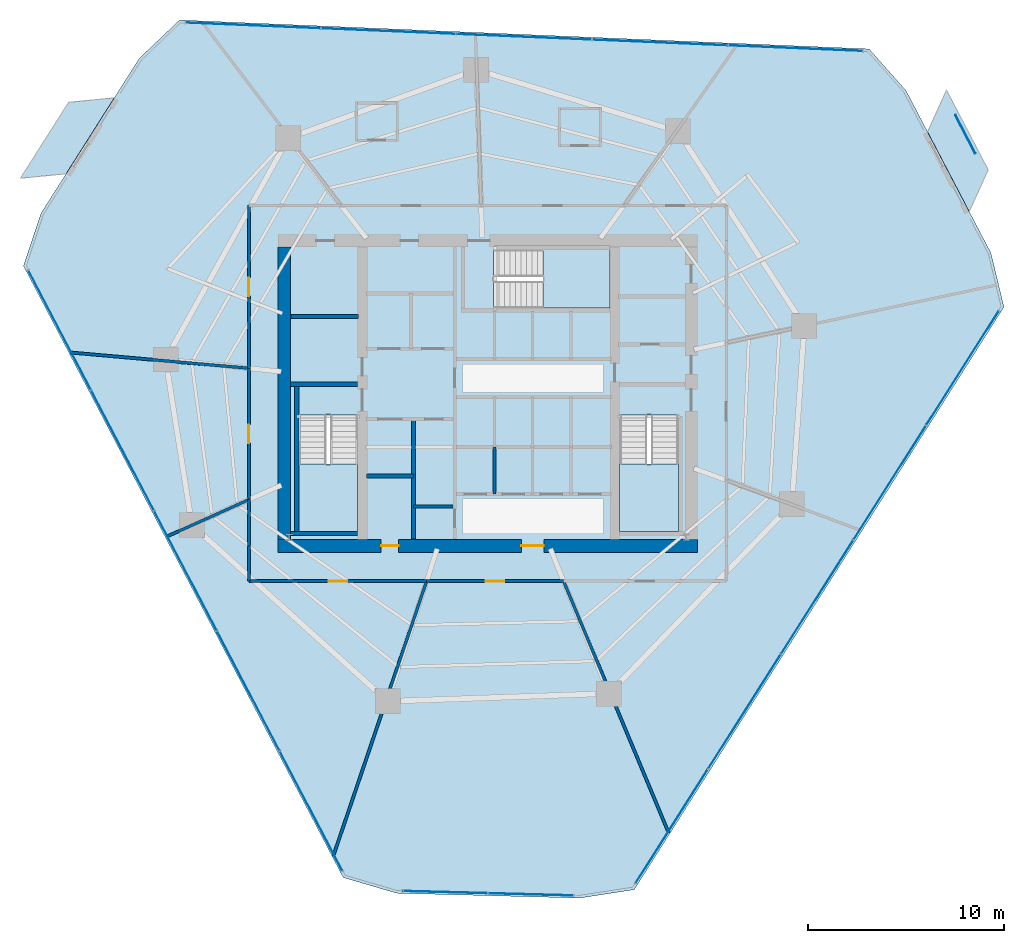
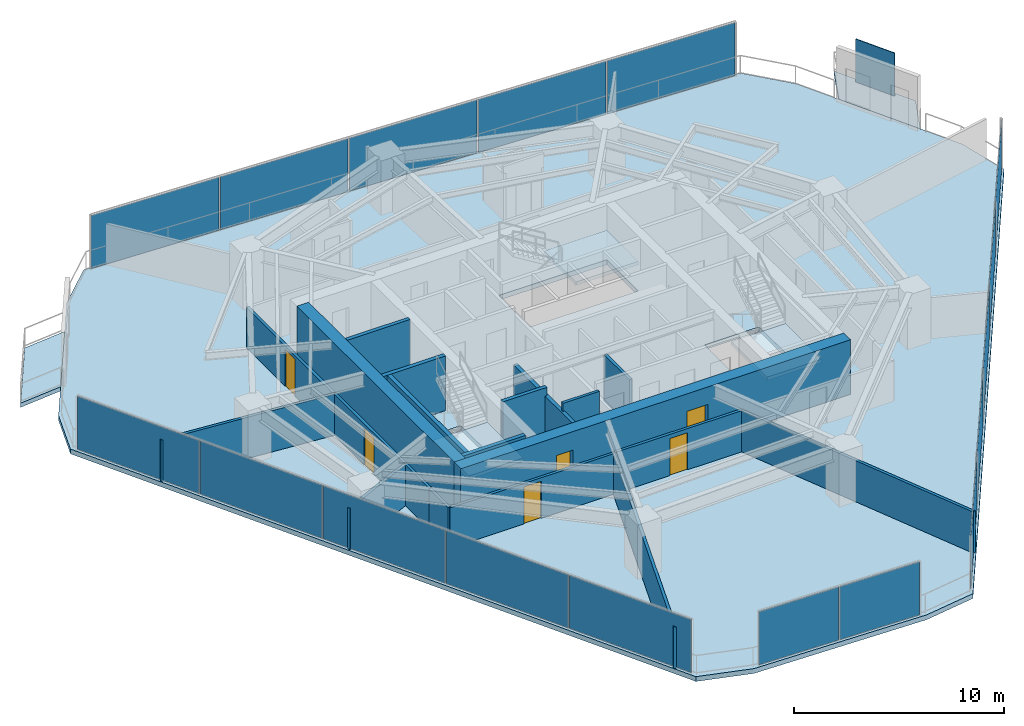
# One storey, part 23 of 30: 20 walls, 18 plates, 6 doors, 6 slabs, 6 openings, 7 elements without a shape of their own.
"""IFC4 building model written with IfcOpenShell, lengths in metres."""

from ifc_helpers import new_model, si_unit, direction, frame, frame_2d, origin, origin_2d, place, context, subcontext, project, spatial, polyline, rectangle, outline, extrude, material, layer, layer_set, type_object, element, fill, aggregate, save


model = new_model("IFC4")

# Units and contexts
model_context = context("Model", 3, precision=1e-05, world=origin(), true_north=direction((0.0, 1.0)))
body_context = subcontext(model_context, "Body", "Model", "MODEL_VIEW")
ifc_project = project(units=[si_unit("LENGTHUNIT", "METRE"), si_unit("AREAUNIT", "SQUARE_METRE"), si_unit("VOLUMEUNIT", "CUBIC_METRE"), si_unit("PLANEANGLEUNIT", "RADIAN"), si_unit("MASSUNIT", "GRAM", prefix="KILO")], contexts=[model_context])

# Site, building, storey
site_placement = place(None, origin())
site = spatial("IfcSite", under=ifc_project, at=site_placement, CompositionType="ELEMENT")
building_placement = place(site_placement, origin())
building = spatial("IfcBuilding", under=site, at=building_placement, Name="Qarnah Convention Tower", CompositionType="ELEMENT")
storey_placement = place(building_placement, frame((0.0, 0.0, 58.050048828125)))
storey = spatial("IfcBuildingStorey", under=building, at=storey_placement, Name="L14", CompositionType="ELEMENT", Elevation=58.050048828125)

# Curtain wall, plates
ifc_material_1 = material(Name="Tempered Low-E dark glass", Category="glass")
ifc_layer_1 = layer(ifc_material_1, 0.16796875)
ifc_layer_set_1 = layer_set([ifc_layer_1], Name="Tempered Low-E dark glass")
curtain_wall_type = type_object("IfcCurtainWallType", Name="CWS-01", PredefinedType="NOTDEFINED", material=ifc_layer_set_1)
curtain_wall_1_placement = place(storey_placement, origin())
curtain_wall_1 = element("IfcCurtainWall", 1, at=curtain_wall_1_placement, inside=storey, type_object=curtain_wall_type, Name="L14 unitised curtain wall CW-L14-F1", PredefinedType="NOTDEFINED")
ifc_layer_2 = layer(ifc_material_1, 0.028076171875)
ifc_layer_set_2 = layer_set([ifc_layer_2], Name="Tempered Low-E dark glass")
plate_type_1 = type_object("IfcPlateType", Name="PNL-T1", PredefinedType="CURTAIN_PANEL", material=ifc_layer_set_2)
plate_1_placement = place(storey_placement, frame((28.176513671875, 5.044921875, 0.0400390625), z_axis=(0.0, 0.0, 1.0), x_axis=(-0.463290234921, 0.886206611478, 0.0)))
plate_1 = element("IfcPlate", 2, at=plate_1_placement, type_object=plate_type_1, Name="CW-L14-F1 curtain panel 1.1", PredefinedType="CURTAIN_PANEL", context=body_context, shape_type="SweptSolid", body=[
    extrude(rectangle(XDim=6.855224609375, YDim=0.028076171875, at=origin_2d()), origin(), (0.0, 0.0, 1.0), 3.090087890625),
])
plate_2_placement = place(storey_placement, frame((24.96337890625, 11.19091796875, 0.0400390625), z_axis=(0.0, 0.0, 1.0), x_axis=(-0.463290234921, 0.886206611478, 0.0)))
plate_2 = element("IfcPlate", 3, at=plate_2_placement, type_object=plate_type_1, Name="CW-L14-F1 curtain panel 2.1", PredefinedType="CURTAIN_PANEL", context=body_context, shape_type="SweptSolid", body=[
    extrude(rectangle(XDim=6.855224609375, YDim=0.028076171875, at=origin_2d()), origin(), (0.0, 0.0, 1.0), 3.090087890625),
])
plate_3_placement = place(storey_placement, frame((21.75048828125, 17.3369140625, 0.0400390625), z_axis=(0.0, 0.0, 1.0), x_axis=(-0.463290234921, 0.886206611478, 0.0)))
plate_3 = element("IfcPlate", 4, at=plate_3_placement, type_object=plate_type_1, Name="CW-L14-F1 curtain panel 3.1", PredefinedType="CURTAIN_PANEL", context=body_context, shape_type="SweptSolid", body=[
    extrude(rectangle(XDim=6.855224609375, YDim=0.028076171875, at=origin_2d()), origin(), (0.0, 0.0, 1.0), 3.090087890625),
])
plate_4_placement = place(storey_placement, frame((18.53759765625, 23.48291015625, 0.0400390625), z_axis=(0.0, 0.0, 1.0), x_axis=(-0.463290234921, 0.886206611478, 0.0)))
plate_4 = element("IfcPlate", 5, at=plate_4_placement, type_object=plate_type_1, Name="CW-L14-F1 curtain panel 4.1", PredefinedType="CURTAIN_PANEL", context=body_context, shape_type="SweptSolid", body=[
    extrude(rectangle(XDim=6.855224609375, YDim=0.028076171875, at=origin_2d()), origin(), (0.0, 0.0, 1.0), 3.090087890625),
])
plate_5_placement = place(storey_placement, frame((15.324462890625, 29.62890625, 0.0400390625), z_axis=(0.0, 0.0, 1.0), x_axis=(-0.463290234921, 0.886206611478, 0.0)))
plate_5 = element("IfcPlate", 6, at=plate_5_placement, type_object=plate_type_1, Name="CW-L14-F1 curtain panel 5.1", PredefinedType="CURTAIN_PANEL", context=body_context, shape_type="SweptSolid", body=[
    extrude(rectangle(XDim=6.855224609375, YDim=0.028076171875, at=origin_2d()), origin(), (0.0, 0.0, 1.0), 3.090087890625),
])
aggregate(curtain_wall_1, [plate_1, plate_2, plate_3, plate_4, plate_5])

curtain_wall_2_placement = place(storey_placement, origin())
curtain_wall_2 = element("IfcCurtainWall", 7, at=curtain_wall_2_placement, inside=storey, type_object=curtain_wall_type, Name="L14 unitised curtain wall CW-L14-F2", PredefinedType="NOTDEFINED")
plate_6_placement = place(storey_placement, frame((61.472900390625, 27.6943359375, 0.0400390625), z_axis=(0.0, 0.0, 1.0), x_axis=(-0.535844994188, -0.844316375658, 0.0)))
plate_6 = element("IfcPlate", 8, at=plate_6_placement, type_object=plate_type_1, Name="CW-L14-F2 curtain panel 1.1", PredefinedType="CURTAIN_PANEL", context=body_context, shape_type="SweptSolid", body=[
    extrude(rectangle(XDim=6.854736328125, YDim=0.028076171875, at=origin_2d()), origin(), (0.0, 0.0, 1.0), 3.090087890625),
])
plate_7_placement = place(storey_placement, frame((57.757080078125, 21.839111328125, 0.0400390625), z_axis=(0.0, 0.0, 1.0), x_axis=(-0.535844994188, -0.844316375658, 0.0)))
plate_7 = element("IfcPlate", 9, at=plate_7_placement, type_object=plate_type_1, Name="CW-L14-F2 curtain panel 2.1", PredefinedType="CURTAIN_PANEL", context=body_context, shape_type="SweptSolid", body=[
    extrude(rectangle(XDim=6.854736328125, YDim=0.028076171875, at=origin_2d()), origin(), (0.0, 0.0, 1.0), 3.090087890625),
])
plate_8_placement = place(storey_placement, frame((54.041015625, 15.98388671875, 0.0400390625), z_axis=(0.0, 0.0, 1.0), x_axis=(-0.535844994188, -0.844316375658, 0.0)))
plate_8 = element("IfcPlate", 10, at=plate_8_placement, type_object=plate_type_1, Name="CW-L14-F2 curtain panel 3.1", PredefinedType="CURTAIN_PANEL", context=body_context, shape_type="SweptSolid", body=[
    extrude(rectangle(XDim=6.854736328125, YDim=0.028076171875, at=origin_2d()), origin(), (0.0, 0.0, 1.0), 3.090087890625),
])
plate_9_placement = place(storey_placement, frame((50.324951171875, 10.12890625, 0.0400390625), z_axis=(0.0, 0.0, 1.0), x_axis=(-0.535844994188, -0.844316375658, 0.0)))
plate_9 = element("IfcPlate", 11, at=plate_9_placement, type_object=plate_type_1, Name="CW-L14-F2 curtain panel 4.1", PredefinedType="CURTAIN_PANEL", context=body_context, shape_type="SweptSolid", body=[
    extrude(rectangle(XDim=6.854736328125, YDim=0.028076171875, at=origin_2d()), origin(), (0.0, 0.0, 1.0), 3.090087890625),
])
plate_10_placement = place(storey_placement, frame((46.60888671875, 4.273681640625, 0.0400390625), z_axis=(0.0, 0.0, 1.0), x_axis=(-0.535844994188, -0.844316375658, 0.0)))
plate_10 = element("IfcPlate", 12, at=plate_10_placement, type_object=plate_type_1, Name="CW-L14-F2 curtain panel 5.1", PredefinedType="CURTAIN_PANEL", context=body_context, shape_type="SweptSolid", body=[
    extrude(rectangle(XDim=6.854736328125, YDim=0.028076171875, at=origin_2d()), origin(), (0.0, 0.0, 1.0), 3.090087890625),
])
aggregate(curtain_wall_2, [plate_6, plate_7, plate_8, plate_9, plate_10])

curtain_wall_3_placement = place(storey_placement, origin())
curtain_wall_3 = element("IfcCurtainWall", 13, at=curtain_wall_3_placement, inside=storey, type_object=curtain_wall_type, Name="L14 unitised curtain wall CW-L14-F3", PredefinedType="NOTDEFINED")
plate_11_placement = place(storey_placement, frame((25.211181640625, 45.205810546875, 0.0400390625), z_axis=(0.0, 0.0, 1.0), x_axis=(0.999122796479, -0.041876455876, 0.0)))
plate_11 = element("IfcPlate", 14, at=plate_11_placement, type_object=plate_type_1, Name="CW-L14-F3 curtain panel 1.1", PredefinedType="CURTAIN_PANEL", context=body_context, shape_type="SweptSolid", body=[
    extrude(rectangle(XDim=6.854736328125, YDim=0.028076171875, at=origin_2d()), origin(), (0.0, 0.0, 1.0), 3.090087890625),
])
plate_12_placement = place(storey_placement, frame((32.139892578125, 44.915283203125, 0.0400390625), z_axis=(0.0, 0.0, 1.0), x_axis=(0.999122796479, -0.041876455876, 0.0)))
plate_12 = element("IfcPlate", 15, at=plate_12_placement, type_object=plate_type_1, Name="CW-L14-F3 curtain panel 2.1", PredefinedType="CURTAIN_PANEL", context=body_context, shape_type="SweptSolid", body=[
    extrude(rectangle(XDim=6.854736328125, YDim=0.028076171875, at=origin_2d()), origin(), (0.0, 0.0, 1.0), 3.090087890625),
])
plate_13_placement = place(storey_placement, frame((39.068603515625, 44.625, 0.0400390625), z_axis=(0.0, 0.0, 1.0), x_axis=(0.999122796479, -0.041876455876, 0.0)))
plate_13 = element("IfcPlate", 16, at=plate_13_placement, type_object=plate_type_1, Name="CW-L14-F3 curtain panel 3.1", PredefinedType="CURTAIN_PANEL", context=body_context, shape_type="SweptSolid", body=[
    extrude(rectangle(XDim=6.854736328125, YDim=0.028076171875, at=origin_2d()), origin(), (0.0, 0.0, 1.0), 3.090087890625),
])
plate_14_placement = place(storey_placement, frame((45.9970703125, 44.334716796875, 0.0400390625), z_axis=(0.0, 0.0, 1.0), x_axis=(0.999122796479, -0.041876455876, 0.0)))
plate_14 = element("IfcPlate", 17, at=plate_14_placement, type_object=plate_type_1, Name="CW-L14-F3 curtain panel 4.1", PredefinedType="CURTAIN_PANEL", context=body_context, shape_type="SweptSolid", body=[
    extrude(rectangle(XDim=6.854736328125, YDim=0.028076171875, at=origin_2d()), origin(), (0.0, 0.0, 1.0), 3.090087890625),
])
plate_15_placement = place(storey_placement, frame((52.92578125, 44.044189453125, 0.0400390625), z_axis=(0.0, 0.0, 1.0), x_axis=(0.999122796479, -0.041876455876, 0.0)))
plate_15 = element("IfcPlate", 18, at=plate_15_placement, type_object=plate_type_1, Name="CW-L14-F3 curtain panel 5.1", PredefinedType="CURTAIN_PANEL", context=body_context, shape_type="SweptSolid", body=[
    extrude(rectangle(XDim=6.854736328125, YDim=0.028076171875, at=origin_2d()), origin(), (0.0, 0.0, 1.0), 3.090087890625),
])
aggregate(curtain_wall_3, [plate_11, plate_12, plate_13, plate_14, plate_15])

curtain_wall_4_placement = place(storey_placement, origin())
curtain_wall_4 = element("IfcCurtainWall", 19, at=curtain_wall_4_placement, inside=storey, type_object=curtain_wall_type, Name="L14 unitised curtain wall CW-L14-F4", PredefinedType="NOTDEFINED")
plate_16_placement = place(storey_placement, frame((39.418701171875, 0.785888671875, 0.0400390625), z_axis=(0.0, 0.0, 1.0), x_axis=(-0.99964956263, 0.026471719497, 0.0)))
plate_16 = element("IfcPlate", 20, at=plate_16_placement, type_object=plate_type_1, Name="CW-L14-F4 curtain panel 1.1", PredefinedType="CURTAIN_PANEL", context=body_context, shape_type="SweptSolid", body=[
    extrude(rectangle(XDim=4.302001953125, YDim=0.028076171875, at=origin_2d()), origin(), (0.0, 0.0, 1.0), 3.090087890625),
])
plate_17_placement = place(storey_placement, frame((35.038330078125, 0.902099609375, 0.0400390625), z_axis=(0.0, 0.0, 1.0), x_axis=(-0.99964956263, 0.026471719497, 0.0)))
plate_17 = element("IfcPlate", 21, at=plate_17_placement, type_object=plate_type_1, Name="CW-L14-F4 curtain panel 2.1", PredefinedType="CURTAIN_PANEL", context=body_context, shape_type="SweptSolid", body=[
    extrude(rectangle(XDim=4.302001953125, YDim=0.028076171875, at=origin_2d()), origin(), (0.0, 0.0, 1.0), 3.090087890625),
])
aggregate(curtain_wall_4, [plate_16, plate_17])

# Plate
ifc_material_2 = material(Name="Black anodised aluminium", Category="aluminium")
ifc_layer_3 = layer(ifc_material_2, 0.044921875)
ifc_layer_set_3 = layer_set([ifc_layer_3], Name="Black anodised aluminium")
plate_type_2 = type_object("IfcPlateType", Name="SCR-BAL-18", PredefinedType="USERDEFINED", material=ifc_layer_set_3)
plate_18_placement = place(storey_placement, frame((61.6201171875, 39.64404296875, 0.0), z_axis=(0.0, 0.0, 1.0), x_axis=(0.463316142322, -0.88619306715, 0.0)))
element("IfcPlate", 22, at=plate_18_placement, inside=storey, type_object=plate_type_2, Name="L14 perforated desert solar screen BAL-L14-C1", ObjectType="SCREEN", PredefinedType="USERDEFINED", context=body_context, shape_type="SweptSolid", body=[
    extrude(rectangle(XDim=2.199951171875, YDim=0.044921875, at=origin_2d()), origin(), (0.0, 0.0, 1.0), 2.5),
])

# Slabs
ifc_material_3 = material(Name="Concrete C45/55", Category="concrete")
ifc_layer_4 = layer(ifc_material_3, 0.239990234375)
ifc_layer_set_4 = layer_set([ifc_layer_4], Name="Concrete C45/55")
slab_type_1 = type_object("IfcSlabType", Name="SLB-BAL-240", PredefinedType="USERDEFINED", material=ifc_layer_set_4)
slab_1_placement = place(storey_placement, frame((0.0, 0.0, -0.239990234375)))
element("IfcSlab", 23, at=slab_1_placement, inside=storey, type_object=slab_type_1, Name="L14 cantilevered balcony slab BAL-L14-C1", ObjectType="BALCONY", PredefinedType="USERDEFINED", context=body_context, shape_type="SweptSolid", body=[
    extrude(outline(polyline([(60.654052734375, 41.90087890625), (62.784912109375, 37.824951171875), (61.81591796875, 35.68896484375), (59.68505859375, 39.764892578125), (60.654052734375, 41.90087890625)])), origin(), (0.0, 0.0, 1.0), 0.239990234375),
])
slab_2_placement = place(storey_placement, frame((0.0, 0.0, -0.239990234375)))
element("IfcSlab", 24, at=slab_2_placement, inside=storey, type_object=slab_type_1, Name="L14 cantilevered balcony slab BAL-L14-C2", ObjectType="BALCONY", PredefinedType="USERDEFINED", context=body_context, shape_type="SweptSolid", body=[
    extrude(outline(polyline([(13.31689453125, 37.39306640625), (15.781982421875, 41.27587890625), (18.116943359375, 41.506103515625), (15.652099609375, 37.6220703125), (13.31689453125, 37.39306640625)])), origin(), (0.0, 0.0, 1.0), 0.239990234375),
])

# Stair, slab
ifc_material_4 = material(Name="Concrete C50/60", Category="concrete")
stair_type = type_object("IfcStairType", Name="STR-HTL", PredefinedType="HALF_TURN_STAIR", material=ifc_material_4)
stair_1_placement = place(storey_placement, origin())
stair_1 = element("IfcStair", 25, at=stair_1_placement, inside=storey, type_object=stair_type, Name="L14 Core exit stair ST-1", PredefinedType="HALF_TURN_STAIR")
ifc_layer_5 = layer(ifc_material_4, 0.199951171875)
ifc_layer_set_5 = layer_set([ifc_layer_5], Name="Concrete C50/60")
slab_type_2 = type_object("IfcSlabType", Name="SLB-LANDING-200", PredefinedType="LANDING", material=ifc_layer_set_5)
slab_3_placement = place(storey_placement, frame((0.0, 0.0, 1.52490234375)))
slab_3 = element("IfcSlab", 26, at=slab_3_placement, type_object=slab_type_2, Name="ST-1 landing 1", PredefinedType="LANDING", context=body_context, shape_type="SweptSolid", body=[
    extrude(outline(polyline([(27.550048828125, 22.780029296875), (27.550048828125, 19.35009765625), (30.550048828125, 19.35009765625), (30.550048828125, 22.780029296875), (27.550048828125, 22.780029296875)])), origin(), (0.0, 0.0, 1.0), 0.199951171875),
])
aggregate(stair_1, [slab_3])

stair_2_placement = place(storey_placement, origin())
stair_2 = element("IfcStair", 27, at=stair_2_placement, inside=storey, type_object=stair_type, Name="L14 Core exit stair ST-2", PredefinedType="HALF_TURN_STAIR")
slab_4_placement = place(storey_placement, frame((0.0, 0.0, 1.52490234375)))
slab_4 = element("IfcSlab", 28, at=slab_4_placement, type_object=slab_type_2, Name="ST-2 landing 1", PredefinedType="LANDING", context=body_context, shape_type="SweptSolid", body=[
    extrude(outline(polyline([(43.949951171875, 22.780029296875), (43.949951171875, 19.35009765625), (46.949951171875, 19.35009765625), (46.949951171875, 22.780029296875), (43.949951171875, 22.780029296875)])), origin(), (0.0, 0.0, 1.0), 0.199951171875),
])
aggregate(stair_2, [slab_4])

stair_3_placement = place(storey_placement, origin())
stair_3 = element("IfcStair", 29, at=stair_3_placement, inside=storey, type_object=stair_type, Name="L14 Core exit stair ST-3", PredefinedType="HALF_TURN_STAIR")
slab_5_placement = place(storey_placement, frame((0.0, 0.0, 1.52490234375)))
slab_5 = element("IfcSlab", 30, at=slab_5_placement, type_object=slab_type_2, Name="ST-3 landing 1", PredefinedType="LANDING", context=body_context, shape_type="SweptSolid", body=[
    extrude(outline(polyline([(40.02001953125, 30.75), (43.449951171875, 30.75), (43.449951171875, 33.75), (40.02001953125, 33.75), (40.02001953125, 30.75)])), origin(), (0.0, 0.0, 1.0), 0.199951171875),
])
aggregate(stair_3, [slab_5])

# Slab
ifc_layer_6 = layer(ifc_material_3, 0.280029296875)
ifc_layer_set_6 = layer_set([ifc_layer_6], Name="Concrete C45/55")
slab_type_3 = type_object("IfcSlabType", Name="SLB-TWR-280", PredefinedType="FLOOR", material=ifc_layer_set_6)
slab_6_placement = place(storey_placement, frame((0.0, 0.0, -0.280029296875)))
element("IfcSlab", 31, at=slab_6_placement, inside=storey, type_object=slab_type_3, Name="L14 structural floor slab", PredefinedType="FLOOR", context=body_context, shape_type="SweptSolid", body=[
    extrude(outline(polyline([(56.695068359375, 44.006103515625), (21.451904296875, 45.48291015625), (19.39208984375, 43.52197265625), (14.37109375, 35.611083984375), (13.472900390625, 32.912109375), (29.81591796875, 1.65087890625), (32.544921875, 0.847900390625), (41.906005859375, 0.60009765625), (44.69189453125, 1.028076171875), (63.593017578125, 30.81103515625), (62.925048828125, 33.575927734375), (58.583984375, 41.87890625), (56.695068359375, 44.006103515625)]), holes=[polyline([(27.550048828125, 25.300048828125), (27.550048828125, 19.35009765625), (30.550048828125, 19.35009765625), (30.550048828125, 25.300048828125), (27.550048828125, 25.300048828125)]), polyline([(43.949951171875, 25.300048828125), (43.949951171875, 19.35009765625), (46.949951171875, 19.35009765625), (46.949951171875, 25.300048828125), (43.949951171875, 25.300048828125)]), polyline([(37.5, 30.75), (43.449951171875, 30.75), (43.449951171875, 33.75), (37.5, 33.75), (37.5, 30.75)])]), origin(), (0.0, 0.0, 1.0), 0.280029296875),
])

# Wall, openings, doors
ifc_material_5 = material(Name="Concrete C60/75", Category="concrete")
ifc_layer_7 = layer(ifc_material_5, 0.64990234375)
ifc_layer_set_7 = layer_set([ifc_layer_7], Name="Concrete C60/75")
wall_type_1 = type_object("IfcWallType", Name="WL-CORE-650", PredefinedType="SHEAR", material=ifc_layer_set_7)
wall_1_placement = place(storey_placement, frame((26.47509765625, 18.60009765625, 0.0), z_axis=(0.0, 0.0, 1.0), x_axis=(1.0, 0.0, 0.0)))
wall_1 = element("IfcWall", 32, at=wall_1_placement, inside=storey, type_object=wall_type_1, Name="L14 core south shear wall", PredefinedType="SHEAR", context=body_context, shape_type="SweptSolid", body=[
    extrude(rectangle(XDim=21.449951171875, YDim=0.64990234375, at=frame_2d((10.72509765625, 0.0))), origin(), (0.0, 0.0, 1.0), 3.169921875),
])
opening_1_placement = place(wall_1_placement, frame((12.449951171875, 0.0, 0.0)))
opening_1 = element("IfcOpeningElement", 33, at=opening_1_placement, cuts=wall_1, Name="Opening D-1407", PredefinedType="OPENING", context=body_context, shape_type="SweptSolid", body=[
    extrude(rectangle(XDim=1.14990234375, YDim=2.14990234375, at=frame_2d((0.574951171875, 1.074951171875))), frame((0.0, 0.3349609375, 0.0), z_axis=(0.0, -1.0, 0.0), x_axis=(1.0, 0.0, 0.0)), (0.0, 0.0, 1.0), 0.669921875),
])
opening_2_placement = place(wall_1_placement, frame((5.27490234375, 0.0, 0.0)))
opening_2 = element("IfcOpeningElement", 34, at=opening_2_placement, cuts=wall_1, Name="Opening D-1413", PredefinedType="OPENING", context=body_context, shape_type="SweptSolid", body=[
    extrude(rectangle(XDim=0.89990234375, YDim=2.10009765625, at=frame_2d((0.449951171875, 1.050048828125))), frame((0.0, 0.3349609375, 0.0), z_axis=(0.0, -1.0, 0.0), x_axis=(1.0, 0.0, 0.0)), (0.0, 0.0, 1.0), 0.669921875),
])
ifc_material_6 = material(Name="Structural steel S355JR", Category="steel")
door_type_1 = type_object("IfcDoorType", Name="DT-LOBBY-1150", OperationType="NOTDEFINED", PredefinedType="DOOR", material=ifc_material_6)
door_1_placement = place(opening_1_placement, origin())
door_1 = element("IfcDoor", 35, at=door_1_placement, inside=storey, type_object=door_type_1, Name="Door D-1407", OperationType="SINGLE_SWING_LEFT", OverallHeight=2.14990234375, OverallWidth=1.14990234375, PredefinedType="DOOR", context=body_context, shape_type="SweptSolid", body=[
    extrude(rectangle(XDim=1.14990234375, YDim=2.14990234375, at=frame_2d((0.574951171875, 1.074951171875))), frame((0.0, 0.02490234375, 0.0), z_axis=(0.0, -1.0, 0.0), x_axis=(1.0, 0.0, 0.0)), (0.0, 0.0, 1.0), 0.050048828125),
])
fill(opening_1, door_1)
door_type_2 = type_object("IfcDoorType", Name="DT-RISER-900", OperationType="NOTDEFINED", PredefinedType="DOOR", material=ifc_material_6)
door_2_placement = place(opening_2_placement, origin())
door_2 = element("IfcDoor", 36, at=door_2_placement, inside=storey, type_object=door_type_2, Name="Door D-1413", OperationType="SINGLE_SWING_LEFT", OverallHeight=2.10009765625, OverallWidth=0.89990234375, PredefinedType="DOOR", context=body_context, shape_type="SweptSolid", body=[
    extrude(rectangle(XDim=0.89990234375, YDim=2.10009765625, at=frame_2d((0.449951171875, 1.050048828125))), frame((0.0, 0.02490234375, 0.0), z_axis=(0.0, -1.0, 0.0), x_axis=(1.0, 0.0, 0.0)), (0.0, 0.0, 1.0), 0.050048828125),
])
fill(opening_2, door_2)

# Walls
wall_2_placement = place(storey_placement, frame((26.800048828125, 18.925048828125, 0.0), z_axis=(0.0, 0.0, 1.0), x_axis=(0.0, 1.0, 0.0)))
element("IfcWall", 37, at=wall_2_placement, inside=storey, type_object=wall_type_1, Name="L14 core west shear wall", PredefinedType="SHEAR", context=body_context, shape_type="SweptSolid", body=[
    extrude(rectangle(XDim=14.949951171875, YDim=0.64990234375, at=frame_2d((7.47509765625, 0.0))), origin(), (0.0, 0.0, 1.0), 3.169921875),
])
ifc_layer_8 = layer(ifc_material_3, 0.199951171875)
ifc_layer_set_8 = layer_set([ifc_layer_8], Name="Concrete C45/55")
wall_type_2 = type_object("IfcWallType", Name="WL-CORE-PART-200", PredefinedType="SOLIDWALL", material=ifc_layer_set_8)
wall_3_placement = place(storey_placement, frame((27.14990234375, 30.320068359375, 0.0), z_axis=(0.0, 0.0, 1.0), x_axis=(1.0, 0.0, 0.0)))
element("IfcWall", 38, at=wall_3_placement, inside=storey, type_object=wall_type_2, Name="L14 interior wall IW-L14-ELRN", PredefinedType="SOLIDWALL", context=body_context, shape_type="SweptSolid", body=[
    extrude(rectangle(XDim=3.4501953125, YDim=0.199951171875, at=frame_2d((1.72509765625, 0.0))), origin(), (0.0, 0.0, 1.0), 3.169921875),
])
wall_4_placement = place(storey_placement, frame((33.419921875, 18.949951171875, 0.0), z_axis=(0.0, 0.0, 1.0), x_axis=(0.0, 1.0, 0.0)))
element("IfcWall", 39, at=wall_4_placement, inside=storey, type_object=wall_type_2, Name="L14 interior wall IW-L14-SVLE", PredefinedType="SOLIDWALL", context=body_context, shape_type="SweptSolid", body=[
    extrude(rectangle(XDim=6.130126953125, YDim=0.199951171875, at=frame_2d((3.06494140625, 0.0))), origin(), (0.0, 0.0, 1.0), 2.69091796875),
])
wall_5_placement = place(storey_placement, frame((31.0, 22.179931640625, 0.0), z_axis=(0.0, 0.0, 1.0), x_axis=(1.0, 0.0, 0.0)))
element("IfcWall", 40, at=wall_5_placement, inside=storey, type_object=wall_type_2, Name="L14 interior wall IW-L14-SVLS", PredefinedType="SOLIDWALL", context=body_context, shape_type="SweptSolid", body=[
    extrude(rectangle(XDim=2.419921875, YDim=0.199951171875, at=frame_2d((1.2099609375, 0.0))), origin(), (0.0, 0.0, 1.0), 3.169921875),
])
ifc_layer_9 = layer(ifc_material_5, 0.219970703125)
ifc_layer_set_9 = layer_set([ifc_layer_9], Name="Concrete C60/75")
wall_type_3 = type_object("IfcWallType", Name="WL-CORE-STAIR-220", PredefinedType="SHEAR", material=ifc_layer_set_9)
wall_6_placement = place(storey_placement, frame((27.125, 26.860107421875, 0.0), z_axis=(0.0, 0.0, 1.0), x_axis=(1.0, 0.0, 0.0)))
element("IfcWall", 41, at=wall_6_placement, inside=storey, type_object=wall_type_3, Name="L14 stair shaft shear wall SW-L14-ST1N", PredefinedType="SHEAR", context=body_context, shape_type="SweptSolid", body=[
    extrude(rectangle(XDim=3.425048828125, YDim=0.219970703125, at=frame_2d((1.71240234375, 0.0))), origin(), (0.0, 0.0, 1.0), 3.169921875),
])
wall_7_placement = place(storey_placement, frame((27.43994140625, 19.35009765625, 0.0), z_axis=(0.0, 0.0, 1.0), x_axis=(0.0, 1.0, 0.0)))
element("IfcWall", 42, at=wall_7_placement, inside=storey, type_object=wall_type_3, Name="L14 stair shaft shear wall SW-L14-ST1W", PredefinedType="SHEAR", context=body_context, shape_type="SweptSolid", body=[
    extrude(rectangle(XDim=7.39990234375, YDim=0.219970703125, at=frame_2d((3.699951171875, 0.0))), origin(), (0.0, 0.0, 1.0), 3.169921875),
])
wall_8_placement = place(storey_placement, frame((27.125, 19.239990234375, 0.0), z_axis=(0.0, 0.0, 1.0), x_axis=(1.0, 0.0, 0.0)))
element("IfcWall", 43, at=wall_8_placement, inside=storey, type_object=wall_type_3, Name="L14 stair shaft shear wall SW-L14-ST1S", PredefinedType="SHEAR", context=body_context, shape_type="SweptSolid", body=[
    extrude(rectangle(XDim=3.425048828125, YDim=0.219970703125, at=frame_2d((1.71240234375, 0.0))), origin(), (0.0, 0.0, 1.0), 3.169921875),
])
ifc_material_7 = material(Name="Gypsum partition board")
ifc_layer_10 = layer(ifc_material_7, 0.14990234375)
ifc_layer_set_10 = layer_set([ifc_layer_10], Name="Gypsum partition board")
wall_type_4 = type_object("IfcWallType", Name="WL-SUITE-150", PredefinedType="PARTITIONING", material=ifc_layer_set_10)
wall_9_placement = place(storey_placement, frame((33.419921875, 20.6201171875, 0.0), z_axis=(0.0, 0.0, 1.0), x_axis=(1.0, 0.0, 0.0)))
element("IfcWall", 44, at=wall_9_placement, inside=storey, type_object=wall_type_4, Name="L14 interior wall IW-L14-CSV1", PredefinedType="PARTITIONING", context=body_context, shape_type="SweptSolid", body=[
    extrude(rectangle(XDim=2.0, YDim=0.14990234375, at=frame_2d((1.0, 0.0))), origin(), (0.0, 0.0, 1.0), 3.169921875),
])
wall_10_placement = place(storey_placement, frame((37.550048828125, 21.25, 0.0), z_axis=(0.0, 0.0, 1.0), x_axis=(0.0, 1.0, 0.0)))
element("IfcWall", 45, at=wall_10_placement, inside=storey, type_object=wall_type_4, Name="L14 interior wall IW-L14-PLD1", PredefinedType="PARTITIONING", context=body_context, shape_type="SweptSolid", body=[
    extrude(rectangle(XDim=2.39990234375, YDim=0.14990234375, at=frame_2d((1.199951171875, 0.0))), origin(), (0.0, 0.0, 1.0), 2.69091796875),
])
wall_11_placement = place(storey_placement, frame((15.862060546875, 28.488037109375, 0.0), z_axis=(0.0, 0.0, 1.0), x_axis=(0.996131152055, -0.087879052715, 0.0)))
element("IfcWall", 46, at=wall_11_placement, inside=storey, type_object=wall_type_4, Name="L14 interior wall IW-L14-R-18", PredefinedType="PARTITIONING", context=body_context, shape_type="SweptSolid", body=[
    extrude(rectangle(XDim=9.17333984375, YDim=0.14990234375, at=frame_2d((4.586669921875, 0.0))), origin(), (0.0, 0.0, 1.0), 2.39501953125),
])

# Wall, opening, door
wall_12_placement = place(storey_placement, frame((25.0, 27.681884765625, 0.0), z_axis=(0.0, 0.0, 1.0), x_axis=(0.0, 1.0, 0.0)))
wall_12 = element("IfcWall", 47, at=wall_12_placement, inside=storey, type_object=wall_type_4, Name="L14 interior wall IW-L14-R-19", PredefinedType="PARTITIONING", context=body_context, shape_type="SweptSolid", body=[
    extrude(rectangle(XDim=8.318115234375, YDim=0.14990234375, at=frame_2d((4.1591796875, 0.0))), origin(), (0.0, 0.0, 1.0), 2.35498046875),
])
opening_3_placement = place(wall_12_placement, frame((3.68408203125, 0.0, 0.0)))
opening_3 = element("IfcOpeningElement", 48, at=opening_3_placement, cuts=wall_12, Name="Opening D-1421", PredefinedType="OPENING", context=body_context, shape_type="SweptSolid", body=[
    extrude(rectangle(XDim=0.949951171875, YDim=2.14990234375, at=frame_2d((0.47509765625, 1.074951171875))), frame((0.0, 0.0849609375, 0.0), z_axis=(0.0, -1.0, 0.0), x_axis=(1.0, 0.0, 0.0)), (0.0, 0.0, 1.0), 0.169921875),
])
ifc_material_8 = material(Name="Oak timber veneer", Category="wood")
door_type_3 = type_object("IfcDoorType", Name="DT-HOTEL-950", OperationType="NOTDEFINED", PredefinedType="DOOR", material=ifc_material_8)
door_3_placement = place(opening_3_placement, origin())
door_3 = element("IfcDoor", 49, at=door_3_placement, inside=storey, type_object=door_type_3, Name="Door D-1421", OperationType="SINGLE_SWING_LEFT", OverallHeight=2.14990234375, OverallWidth=0.949951171875, PredefinedType="DOOR", context=body_context, shape_type="SweptSolid", body=[
    extrude(rectangle(XDim=0.949951171875, YDim=2.14990234375, at=frame_2d((0.47509765625, 1.074951171875))), frame((0.0, 0.02490234375, 0.0), z_axis=(0.0, -1.0, 0.0), x_axis=(1.0, 0.0, 0.0)), (0.0, 0.0, 1.0), 0.050048828125),
])
fill(opening_3, door_3)

# Wall
wall_13_placement = place(storey_placement, frame((20.7958984375, 19.076904296875, 0.0), z_axis=(0.0, 0.0, 1.0), x_axis=(0.911980952372, 0.410232546868, 0.0)))
element("IfcWall", 50, at=wall_13_placement, inside=storey, type_object=wall_type_4, Name="L14 interior wall IW-L14-R-22", PredefinedType="PARTITIONING", context=body_context, shape_type="SweptSolid", body=[
    extrude(rectangle(XDim=4.60986328125, YDim=0.14990234375, at=frame_2d((2.304931640625, 0.0))), origin(), (0.0, 0.0, 1.0), 2.39501953125),
])

# Wall, opening, door
wall_14_placement = place(storey_placement, frame((25.0, 20.968017578125, 0.0), z_axis=(0.0, 0.0, 1.0), x_axis=(0.0, 1.0, 0.0)))
wall_14 = element("IfcWall", 51, at=wall_14_placement, inside=storey, type_object=wall_type_4, Name="L14 interior wall IW-L14-R-23", PredefinedType="PARTITIONING", context=body_context, shape_type="SweptSolid", body=[
    extrude(rectangle(XDim=6.7138671875, YDim=0.14990234375, at=frame_2d((3.35693359375, 0.0))), origin(), (0.0, 0.0, 1.0), 2.39501953125),
])
opening_4_placement = place(wall_14_placement, frame((2.882080078125, 0.0, 0.0)))
opening_4 = element("IfcOpeningElement", 52, at=opening_4_placement, cuts=wall_14, Name="Opening D-1422", PredefinedType="OPENING", context=body_context, shape_type="SweptSolid", body=[
    extrude(rectangle(XDim=0.949951171875, YDim=2.14990234375, at=frame_2d((0.47509765625, 1.074951171875))), frame((0.0, 0.0849609375, 0.0), z_axis=(0.0, -1.0, 0.0), x_axis=(1.0, 0.0, 0.0)), (0.0, 0.0, 1.0), 0.169921875),
])
door_4_placement = place(opening_4_placement, origin())
door_4 = element("IfcDoor", 53, at=door_4_placement, inside=storey, type_object=door_type_3, Name="Door D-1422", OperationType="SINGLE_SWING_RIGHT", OverallHeight=2.14990234375, OverallWidth=0.949951171875, PredefinedType="DOOR", context=body_context, shape_type="SweptSolid", body=[
    extrude(rectangle(XDim=0.949951171875, YDim=2.14990234375, at=frame_2d((0.47509765625, 1.074951171875))), frame((0.0, 0.02490234375, 0.0), z_axis=(0.0, -1.0, 0.0), x_axis=(1.0, 0.0, 0.0)), (0.0, 0.0, 1.0), 0.050048828125),
])
fill(opening_4, door_4)

# Wall
wall_15_placement = place(storey_placement, frame((29.30908203125, 2.7451171875, 0.0), z_axis=(0.0, 0.0, 1.0), x_axis=(0.321497836985, 0.946910312973, 0.0)))
element("IfcWall", 54, at=wall_15_placement, inside=storey, type_object=wall_type_4, Name="L14 interior wall IW-L14-R-24", PredefinedType="PARTITIONING", context=body_context, shape_type="SweptSolid", body=[
    extrude(rectangle(XDim=14.843017578125, YDim=0.14990234375, at=frame_2d((7.42138671875, 0.0))), origin(), (0.0, 0.0, 1.0), 2.39501953125),
])

# Wall, opening, door
wall_16_placement = place(storey_placement, frame((34.0810546875, 16.800048828125, 0.0), z_axis=(0.0, 0.0, 1.0), x_axis=(-1.0, 0.0, 0.0)))
wall_16 = element("IfcWall", 55, at=wall_16_placement, inside=storey, type_object=wall_type_4, Name="L14 interior wall IW-L14-R-25", PredefinedType="PARTITIONING", context=body_context, shape_type="SweptSolid", body=[
    extrude(rectangle(XDim=9.0810546875, YDim=0.14990234375, at=frame_2d((4.54052734375, 0.0))), origin(), (0.0, 0.0, 1.0), 2.35498046875),
])
opening_5_placement = place(wall_16_placement, frame((4.06591796875, 0.0, 0.0)))
opening_5 = element("IfcOpeningElement", 56, at=opening_5_placement, cuts=wall_16, Name="Opening D-1423", PredefinedType="OPENING", context=body_context, shape_type="SweptSolid", body=[
    extrude(rectangle(XDim=0.949951171875, YDim=2.14990234375, at=frame_2d((0.47509765625, 1.074951171875))), frame((0.0, 0.0849609375, 0.0), z_axis=(0.0, -1.0, 0.0), x_axis=(1.0, 0.0, 0.0)), (0.0, 0.0, 1.0), 0.169921875),
])
door_5_placement = place(opening_5_placement, origin())
door_5 = element("IfcDoor", 57, at=door_5_placement, inside=storey, type_object=door_type_3, Name="Door D-1423", OperationType="SINGLE_SWING_LEFT", OverallHeight=2.14990234375, OverallWidth=0.949951171875, PredefinedType="DOOR", context=body_context, shape_type="SweptSolid", body=[
    extrude(rectangle(XDim=0.949951171875, YDim=2.14990234375, at=frame_2d((0.47509765625, 1.074951171875))), frame((0.0, 0.02490234375, 0.0), z_axis=(0.0, -1.0, 0.0), x_axis=(1.0, 0.0, 0.0)), (0.0, 0.0, 1.0), 0.050048828125),
])
fill(opening_5, door_5)

# Walls
wall_17_placement = place(storey_placement, frame((25.0, 16.800048828125, 0.0), z_axis=(0.0, 0.0, 1.0), x_axis=(0.0, 1.0, 0.0)))
element("IfcWall", 58, at=wall_17_placement, inside=storey, type_object=wall_type_4, Name="L14 interior wall IW-L14-R-26", PredefinedType="PARTITIONING", context=body_context, shape_type="SweptSolid", body=[
    extrude(rectangle(XDim=1.800048828125, YDim=0.14990234375, at=frame_2d((0.89990234375, 0.0))), origin(), (0.0, 0.0, 1.0), 2.35498046875),
])
wall_18_placement = place(storey_placement, frame((25.0, 18.60009765625, 0.0), z_axis=(0.0, 0.0, 1.0), x_axis=(0.0, 1.0, 0.0)))
element("IfcWall", 59, at=wall_18_placement, inside=storey, type_object=wall_type_4, Name="L14 interior wall IW-L14-R-27", PredefinedType="PARTITIONING", context=body_context, shape_type="SweptSolid", body=[
    extrude(rectangle(XDim=2.367919921875, YDim=0.14990234375, at=frame_2d((1.18408203125, 0.0))), origin(), (0.0, 0.0, 1.0), 2.39501953125),
])
wall_19_placement = place(storey_placement, frame((46.455078125, 3.927978515625, 0.0), z_axis=(0.0, 0.0, 1.0), x_axis=(-0.38538573628, 0.922755565831, 0.0)))
element("IfcWall", 60, at=wall_19_placement, inside=storey, type_object=wall_type_4, Name="L14 interior wall IW-L14-R-28", PredefinedType="PARTITIONING", context=body_context, shape_type="SweptSolid", body=[
    extrude(rectangle(XDim=13.94970703125, YDim=0.14990234375, at=frame_2d((6.974853515625, 0.0))), origin(), (0.0, 0.0, 1.0), 2.39501953125),
])

# Wall, opening, door
wall_20_placement = place(storey_placement, frame((41.0791015625, 16.800048828125, 0.0), z_axis=(0.0, 0.0, 1.0), x_axis=(-1.0, 0.0, 0.0)))
wall_20 = element("IfcWall", 61, at=wall_20_placement, inside=storey, type_object=wall_type_4, Name="L14 interior wall IW-L14-R-29", PredefinedType="PARTITIONING", context=body_context, shape_type="SweptSolid", body=[
    extrude(rectangle(XDim=6.998046875, YDim=0.14990234375, at=frame_2d((3.4990234375, 0.0))), origin(), (0.0, 0.0, 1.0), 2.39501953125),
])
opening_6_placement = place(wall_20_placement, frame((3.02392578125, 0.0, 0.0)))
opening_6 = element("IfcOpeningElement", 62, at=opening_6_placement, cuts=wall_20, Name="Opening D-1424", PredefinedType="OPENING", context=body_context, shape_type="SweptSolid", body=[
    extrude(rectangle(XDim=0.949951171875, YDim=2.14990234375, at=frame_2d((0.47509765625, 1.074951171875))), frame((0.0, 0.0849609375, 0.0), z_axis=(0.0, -1.0, 0.0), x_axis=(1.0, 0.0, 0.0)), (0.0, 0.0, 1.0), 0.169921875),
])
door_6_placement = place(opening_6_placement, origin())
door_6 = element("IfcDoor", 63, at=door_6_placement, inside=storey, type_object=door_type_3, Name="Door D-1424", OperationType="SINGLE_SWING_RIGHT", OverallHeight=2.14990234375, OverallWidth=0.949951171875, PredefinedType="DOOR", context=body_context, shape_type="SweptSolid", body=[
    extrude(rectangle(XDim=0.949951171875, YDim=2.14990234375, at=frame_2d((0.47509765625, 1.074951171875))), frame((0.0, 0.02490234375, 0.0), z_axis=(0.0, -1.0, 0.0), x_axis=(1.0, 0.0, 0.0)), (0.0, 0.0, 1.0), 0.050048828125),
])
fill(opening_6, door_6)

save(model, "model.ifc")
